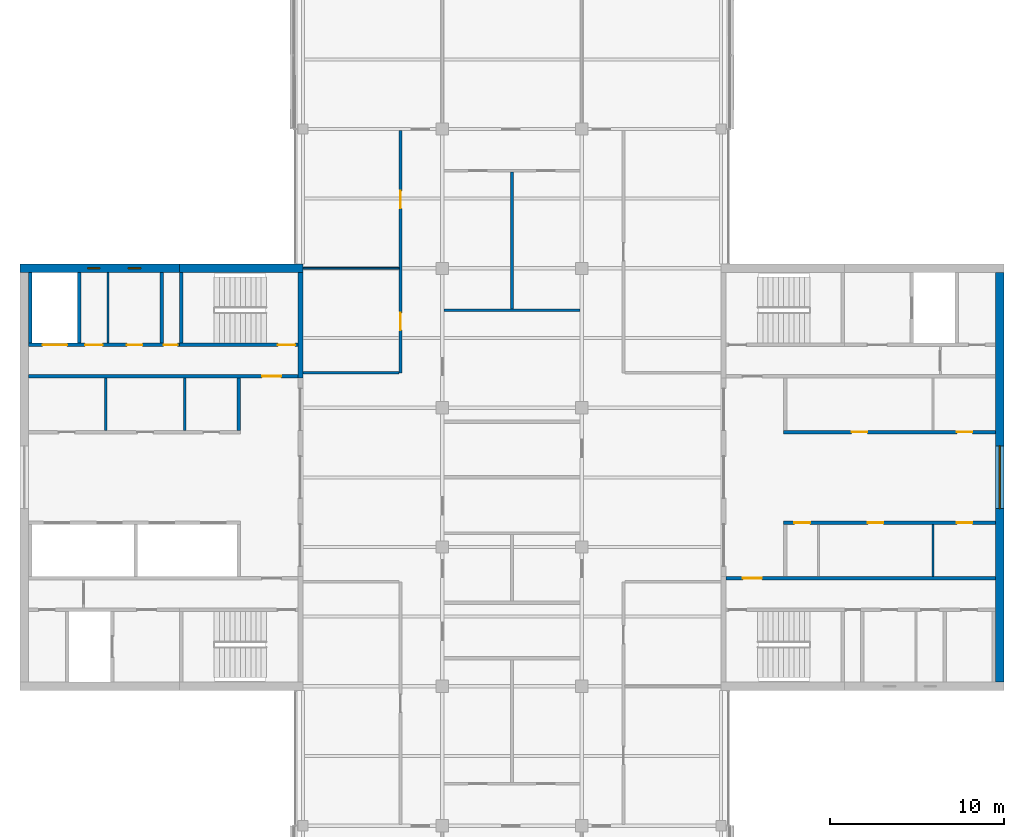
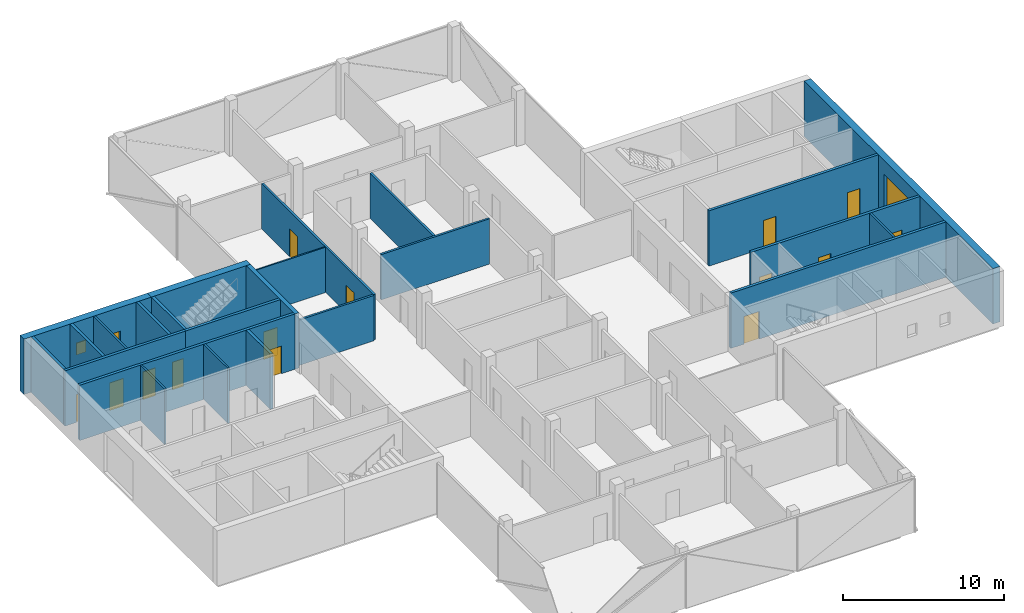
# One storey, part 11 of 16: 24 walls, 14 doors, 3 windows, 17 openings.
"""IFC4 building model written with IfcOpenShell, lengths in metres."""

from ifc_helpers import new_model, si_unit, direction, frame, frame_2d, origin, place, context, subcontext, project, spatial, rectangle, extrude, material, layer, layer_set, constituent, constituent_set, type_object, element, fill, save


model = new_model("IFC4")

# Units and contexts
model_context = context("Model", 3, precision=1e-05, world=origin(), true_north=direction((0.0, 1.0)))
body_context = subcontext(model_context, "Body", "Model", "MODEL_VIEW")
ifc_project = project(units=[si_unit("LENGTHUNIT", "METRE"), si_unit("AREAUNIT", "SQUARE_METRE"), si_unit("VOLUMEUNIT", "CUBIC_METRE"), si_unit("PLANEANGLEUNIT", "RADIAN"), si_unit("MASSUNIT", "GRAM", prefix="KILO")], contexts=[model_context])

# Site, building, storey
site_placement = place(None, origin())
site = spatial("IfcSite", under=ifc_project, at=site_placement, CompositionType="ELEMENT")
building_placement = place(site_placement, origin())
building = spatial("IfcBuilding", under=site, at=building_placement, Name="Crosswind Convention Tower", CompositionType="ELEMENT")
storey_placement = place(building_placement, frame((0.0, 0.0, 253.5)))
storey = spatial("IfcBuildingStorey", under=building, at=storey_placement, Name="L54", CompositionType="ELEMENT", Elevation=253.5)

# Walls
ifc_material_1 = material(Name="Concrete blockwork", Category="masonry")
ifc_layer_1 = layer(ifc_material_1, 0.199951171875)
ifc_layer_set_1 = layer_set([ifc_layer_1], Name="Blockwork partition wall 200")
wall_type_1 = type_object("IfcWallType", Name="Blockwork partition wall 200", PredefinedType="PARTITIONING", material=ifc_layer_set_1)
wall_1_placement = place(storey_placement, frame((104.89990234375, 111.75, 0.0), z_axis=(0.0, 0.0, 1.0), x_axis=(0.0, -1.0, 0.0)))
element("IfcWall", 1, at=wall_1_placement, inside=storey, type_object=wall_type_1, Name="Wall MRSE W L54", PredefinedType="PARTITIONING", context=body_context, shape_type="SweptSolid", body=[
    extrude(rectangle(XDim=4.050048828125, YDim=0.199951171875, at=frame_2d((2.02490234375, 0.0))), origin(), (0.0, 0.0, 1.0), 4.199951171875),
])
ifc_material_2 = material(Name="Concrete C50/60", Category="concrete")
ifc_layer_2 = layer(ifc_material_2, 0.300048828125)
ifc_layer_set_2 = layer_set([ifc_layer_2], Name="Concrete C50/60")
wall_type_2 = type_object("IfcWallType", Name="Concrete inner core wall 300", PredefinedType="SHEAR", material=ifc_layer_set_2)
wall_2_placement = place(storey_placement, frame((112.85009765625, 111.75, 0.0), z_axis=(0.0, 0.0, 1.0), x_axis=(0.0, -1.0, 0.0)))
element("IfcWall", 2, at=wall_2_placement, inside=storey, type_object=wall_type_2, Name="Wall EM W L54", PredefinedType="SHEAR", context=body_context, shape_type="SweptSolid", body=[
    extrude(rectangle(XDim=6.050048828125, YDim=0.300048828125, at=frame_2d((3.02490234375, 0.0))), origin(), (0.0, 0.0, 1.0), 4.199951171875),
])

# Wall, openings, doors
ifc_layer_3 = layer(ifc_material_2, 0.199951171875)
ifc_layer_set_3 = layer_set([ifc_layer_3], Name="Concrete C50/60")
wall_type_3 = type_object("IfcWallType", Name="Concrete shaft and stair wall 200", PredefinedType="SHEAR", material=ifc_layer_set_3)
wall_3_placement = place(storey_placement, frame((140.60009765625, 102.60009765625, 0.0), z_axis=(0.0, 0.0, 1.0), x_axis=(1.0, 0.0, 0.0)))
wall_3 = element("IfcWall", 3, at=wall_3_placement, inside=storey, type_object=wall_type_3, Name="Wall RPFRONT E L54", PredefinedType="SHEAR", context=body_context, shape_type="SweptSolid", body=[
    extrude(rectangle(XDim=12.14990234375, YDim=0.199951171875, at=frame_2d((6.074951171875, 0.0))), origin(), (0.0, 0.0, 1.0), 4.199951171875),
])
opening_1_placement = place(wall_3_placement, frame((3.9013671875, 0.0, 0.0)))
opening_1 = element("IfcOpeningElement", 4, at=opening_1_placement, cuts=wall_3, Name="Opening D106", PredefinedType="OPENING", context=body_context, shape_type="SweptSolid", body=[
    extrude(rectangle(XDim=0.89990234375, YDim=2.10009765625, at=frame_2d((0.449951171875, 1.050048828125))), frame((0.0, 0.10986328125, 0.0), z_axis=(0.0, -1.0, 0.0), x_axis=(1.0, 0.0, 0.0)), (0.0, 0.0, 1.0), 0.219970703125),
])
opening_2_placement = place(wall_3_placement, frame((9.938720703125, 0.0, 0.0)))
opening_2 = element("IfcOpeningElement", 5, at=opening_2_placement, cuts=wall_3, Name="Opening D106", PredefinedType="OPENING", context=body_context, shape_type="SweptSolid", body=[
    extrude(rectangle(XDim=0.89990234375, YDim=2.10009765625, at=frame_2d((0.449951171875, 1.050048828125))), frame((0.0, 0.10986328125, 0.0), z_axis=(0.0, -1.0, 0.0), x_axis=(1.0, 0.0, 0.0)), (0.0, 0.0, 1.0), 0.219970703125),
])
ifc_material_3 = material(Name="Timber door", Category="wood")
door_type_1 = type_object("IfcDoorType", Name="Single leaf door 900x2100", OperationType="NOTDEFINED", PredefinedType="DOOR", material=ifc_material_3)
door_1_placement = place(opening_1_placement, origin())
door_1 = element("IfcDoor", 6, at=door_1_placement, inside=storey, type_object=door_type_1, Name="Door to telecoms room L54", ObjectType="D106", OperationType="SINGLE_SWING_RIGHT", OverallHeight=2.10009765625, OverallWidth=0.89990234375, PredefinedType="DOOR", context=body_context, shape_type="SweptSolid", body=[
    extrude(rectangle(XDim=0.89990234375, YDim=2.10009765625, at=frame_2d((0.449951171875, 1.050048828125))), frame((0.0, 0.02490234375, 0.0), z_axis=(0.0, -1.0, 0.0), x_axis=(1.0, 0.0, 0.0)), (0.0, 0.0, 1.0), 0.050048828125),
])
fill(opening_1, door_1)
door_2_placement = place(opening_2_placement, origin())
door_2 = element("IfcDoor", 7, at=door_2_placement, inside=storey, type_object=door_type_1, Name="Door to storeroom L54", ObjectType="D106", OperationType="SINGLE_SWING_RIGHT", OverallHeight=2.10009765625, OverallWidth=0.89990234375, PredefinedType="DOOR", context=body_context, shape_type="SweptSolid", body=[
    extrude(rectangle(XDim=0.89990234375, YDim=2.10009765625, at=frame_2d((0.449951171875, 1.050048828125))), frame((0.0, 0.02490234375, 0.0), z_axis=(0.0, -1.0, 0.0), x_axis=(1.0, 0.0, 0.0)), (0.0, 0.0, 1.0), 0.050048828125),
])
fill(opening_2, door_2)

wall_4_placement = place(storey_placement, frame((140.60009765625, 97.39990234375, 0.0), z_axis=(0.0, 0.0, 1.0), x_axis=(1.0, 0.0, 0.0)))
wall_4 = element("IfcWall", 8, at=wall_4_placement, inside=storey, type_object=wall_type_3, Name="Wall RMFRONT E L54", PredefinedType="SHEAR", context=body_context, shape_type="SweptSolid", body=[
    extrude(rectangle(XDim=12.14990234375, YDim=0.199951171875, at=frame_2d((6.074951171875, 0.0))), origin(), (0.0, 0.0, 1.0), 4.199951171875),
])
opening_3_placement = place(wall_4_placement, frame((0.614990234375, 0.0, 0.0)))
opening_3 = element("IfcOpeningElement", 9, at=opening_3_placement, cuts=wall_4, Name="Opening D106", PredefinedType="OPENING", context=body_context, shape_type="SweptSolid", body=[
    extrude(rectangle(XDim=0.89990234375, YDim=2.10009765625, at=frame_2d((0.449951171875, 1.050048828125))), frame((0.0, 0.10986328125, 0.0), z_axis=(0.0, -1.0, 0.0), x_axis=(1.0, 0.0, 0.0)), (0.0, 0.0, 1.0), 0.219970703125),
])
opening_4_placement = place(wall_4_placement, frame((4.828857421875, 0.0, 0.0)))
opening_4 = element("IfcOpeningElement", 10, at=opening_4_placement, cuts=wall_4, Name="Opening D106", PredefinedType="OPENING", context=body_context, shape_type="SweptSolid", body=[
    extrude(rectangle(XDim=0.89990234375, YDim=2.10009765625, at=frame_2d((0.449951171875, 1.050048828125))), frame((0.0, 0.10986328125, 0.0), z_axis=(0.0, -1.0, 0.0), x_axis=(1.0, 0.0, 0.0)), (0.0, 0.0, 1.0), 0.219970703125),
])
opening_5_placement = place(wall_4_placement, frame((9.938720703125, 0.0, 0.0)))
opening_5 = element("IfcOpeningElement", 11, at=opening_5_placement, cuts=wall_4, Name="Opening D106", PredefinedType="OPENING", context=body_context, shape_type="SweptSolid", body=[
    extrude(rectangle(XDim=0.89990234375, YDim=2.10009765625, at=frame_2d((0.449951171875, 1.050048828125))), frame((0.0, 0.10986328125, 0.0), z_axis=(0.0, -1.0, 0.0), x_axis=(1.0, 0.0, 0.0)), (0.0, 0.0, 1.0), 0.219970703125),
])
door_3_placement = place(opening_3_placement, frame((0.89990234375, 0.0, 0.0), z_axis=(0.0, 0.0, 1.0), x_axis=(-1.0, 0.0, 0.0)))
door_3 = element("IfcDoor", 12, at=door_3_placement, inside=storey, type_object=door_type_1, Name="Door to storeroom L54", ObjectType="D106", OperationType="SINGLE_SWING_LEFT", OverallHeight=2.10009765625, OverallWidth=0.89990234375, PredefinedType="DOOR", context=body_context, shape_type="SweptSolid", body=[
    extrude(rectangle(XDim=0.89990234375, YDim=2.10009765625, at=frame_2d((0.449951171875, 1.050048828125))), frame((0.0, 0.02490234375, 0.0), z_axis=(0.0, -1.0, 0.0), x_axis=(1.0, 0.0, 0.0)), (0.0, 0.0, 1.0), 0.050048828125),
])
fill(opening_3, door_3)
door_4_placement = place(opening_4_placement, frame((0.89990234375, 0.0, 0.0), z_axis=(0.0, 0.0, 1.0), x_axis=(-1.0, 0.0, 0.0)))
door_4 = element("IfcDoor", 13, at=door_4_placement, inside=storey, type_object=door_type_1, Name="Door to tenant services room L54", ObjectType="D106", OperationType="SINGLE_SWING_LEFT", OverallHeight=2.10009765625, OverallWidth=0.89990234375, PredefinedType="DOOR", context=body_context, shape_type="SweptSolid", body=[
    extrude(rectangle(XDim=0.89990234375, YDim=2.10009765625, at=frame_2d((0.449951171875, 1.050048828125))), frame((0.0, 0.02490234375, 0.0), z_axis=(0.0, -1.0, 0.0), x_axis=(1.0, 0.0, 0.0)), (0.0, 0.0, 1.0), 0.050048828125),
])
fill(opening_4, door_4)
door_5_placement = place(opening_5_placement, frame((0.89990234375, 0.0, 0.0), z_axis=(0.0, 0.0, 1.0), x_axis=(-1.0, 0.0, 0.0)))
door_5 = element("IfcDoor", 14, at=door_5_placement, inside=storey, type_object=door_type_1, Name="Door to copy and print room L54", ObjectType="D106", OperationType="SINGLE_SWING_LEFT", OverallHeight=2.10009765625, OverallWidth=0.89990234375, PredefinedType="DOOR", context=body_context, shape_type="SweptSolid", body=[
    extrude(rectangle(XDim=0.89990234375, YDim=2.10009765625, at=frame_2d((0.449951171875, 1.050048828125))), frame((0.0, 0.02490234375, 0.0), z_axis=(0.0, -1.0, 0.0), x_axis=(1.0, 0.0, 0.0)), (0.0, 0.0, 1.0), 0.050048828125),
])
fill(opening_5, door_5)

# Wall, opening, door
wall_5_placement = place(storey_placement, frame((137.300048828125, 94.199951171875, 0.0), z_axis=(0.0, 0.0, 1.0), x_axis=(1.0, 0.0, 0.0)))
wall_5 = element("IfcWall", 15, at=wall_5_placement, inside=storey, type_object=wall_type_3, Name="Wall HM E L54", PredefinedType="SHEAR", context=body_context, shape_type="SweptSolid", body=[
    extrude(rectangle(XDim=15.449951171875, YDim=0.199951171875, at=frame_2d((7.72509765625, 0.0))), origin(), (0.0, 0.0, 1.0), 4.199951171875),
])
opening_6_placement = place(wall_5_placement, frame((0.949951171875, 0.0, 0.0)))
opening_6 = element("IfcOpeningElement", 16, at=opening_6_placement, cuts=wall_5, Name="Opening D104", PredefinedType="OPENING", context=body_context, shape_type="SweptSolid", body=[
    extrude(rectangle(XDim=1.10009765625, YDim=2.10009765625, at=frame_2d((0.550048828125, 1.050048828125))), frame((0.0, 0.10986328125, 0.0), z_axis=(0.0, -1.0, 0.0), x_axis=(1.0, 0.0, 0.0)), (0.0, 0.0, 1.0), 0.219970703125),
])
ifc_material_4 = material(Name="Steel fire door", Category="steel")
door_type_2 = type_object("IfcDoorType", Name="Fire-rated single door 1100x2100", OperationType="NOTDEFINED", PredefinedType="DOOR", material=ifc_material_4)
door_6_placement = place(opening_6_placement, origin())
door_6 = element("IfcDoor", 17, at=door_6_placement, inside=storey, type_object=door_type_2, Name="Corridor door L54", ObjectType="D104", OperationType="SINGLE_SWING_LEFT", OverallHeight=2.10009765625, OverallWidth=1.10009765625, PredefinedType="DOOR", context=body_context, shape_type="SweptSolid", body=[
    extrude(rectangle(XDim=1.10009765625, YDim=2.10009765625, at=frame_2d((0.550048828125, 1.050048828125))), frame((0.0, 0.02490234375, 0.0), z_axis=(0.0, -1.0, 0.0), x_axis=(1.0, 0.0, 0.0)), (0.0, 0.0, 1.0), 0.050048828125),
])
fill(opening_6, door_6)

# Wall
wall_6_placement = place(storey_placement, frame((109.300048828125, 105.699951171875, 0.0), z_axis=(0.0, 0.0, 1.0), x_axis=(0.0, -1.0, 0.0)))
element("IfcWall", 18, at=wall_6_placement, inside=storey, type_object=wall_type_3, Name="Wall RMEND W L54", PredefinedType="SHEAR", context=body_context, shape_type="SweptSolid", body=[
    extrude(rectangle(XDim=3.0, YDim=0.199951171875, at=frame_2d((1.5, 0.0))), origin(), (0.0, 0.0, 1.0), 4.199951171875),
])

# Wall, opening, door
wall_7_placement = place(storey_placement, frame((112.699951171875, 105.800048828125, 0.0), z_axis=(0.0, 0.0, 1.0), x_axis=(-1.0, 0.0, 0.0)))
wall_7 = element("IfcWall", 19, at=wall_7_placement, inside=storey, type_object=wall_type_3, Name="Wall HM W L54", PredefinedType="SHEAR", context=body_context, shape_type="SweptSolid", body=[
    extrude(rectangle(XDim=15.449951171875, YDim=0.199951171875, at=frame_2d((7.72509765625, 0.0))), origin(), (0.0, 0.0, 1.0), 4.199951171875),
])
opening_7_placement = place(wall_7_placement, frame((0.949951171875, 0.0, 0.0)))
opening_7 = element("IfcOpeningElement", 20, at=opening_7_placement, cuts=wall_7, Name="Opening D104", PredefinedType="OPENING", context=body_context, shape_type="SweptSolid", body=[
    extrude(rectangle(XDim=1.10009765625, YDim=2.10009765625, at=frame_2d((0.550048828125, 1.050048828125))), frame((0.0, 0.10986328125, 0.0), z_axis=(0.0, -1.0, 0.0), x_axis=(1.0, 0.0, 0.0)), (0.0, 0.0, 1.0), 0.219970703125),
])
door_7_placement = place(opening_7_placement, origin())
door_7 = element("IfcDoor", 21, at=door_7_placement, inside=storey, type_object=door_type_2, Name="Corridor door L54", ObjectType="D104", OperationType="SINGLE_SWING_LEFT", OverallHeight=2.10009765625, OverallWidth=1.10009765625, PredefinedType="DOOR", context=body_context, shape_type="SweptSolid", body=[
    extrude(rectangle(XDim=1.10009765625, YDim=2.10009765625, at=frame_2d((0.550048828125, 1.050048828125))), frame((0.0, 0.02490234375, 0.0), z_axis=(0.0, -1.0, 0.0), x_axis=(1.0, 0.0, 0.0)), (0.0, 0.0, 1.0), 0.050048828125),
])
fill(opening_7, door_7)

# Walls
for number, where, z_axis, x_axis, name in (
    (22, (106.0, 111.75, 0.0), (0.0, 0.0, 1.0), (0.0, -1.0, 0.0), "Wall MSE W L54"),
    (23, (100.14990234375, 111.75, 0.0), (0.0, 0.0, 1.0), (0.0, -1.0, 0.0), "Wall MFSW W L54"),
    (24, (97.35009765625, 111.75, 0.0), (0.0, 0.0, 1.0), (0.0, -1.0, 0.0), "Wall MFSE W L54"),
):
    element("IfcWall", number, at=place(storey_placement, frame(where, z_axis=z_axis, x_axis=x_axis)), inside=storey, type_object=wall_type_3, Name=name, PredefinedType="SHEAR", context=body_context, shape_type="SweptSolid", body=[
        extrude(rectangle(XDim=4.050048828125, YDim=0.199951171875, at=frame_2d((2.02490234375, 0.0))), origin(), (0.0, 0.0, 1.0), 4.199951171875),
    ])

# Wall, opening, door
wall_8_placement = place(storey_placement, frame((112.699951171875, 107.60009765625, 0.0), z_axis=(0.0, 0.0, 1.0), x_axis=(-1.0, 0.0, 0.0)))
wall_8 = element("IfcWall", 25, at=wall_8_placement, inside=storey, type_object=wall_type_3, Name="Wall MCW W L54", PredefinedType="SHEAR", context=body_context, shape_type="SweptSolid", body=[
    extrude(rectangle(XDim=6.800048828125, YDim=0.199951171875, at=frame_2d((3.39990234375, 0.0))), origin(), (0.0, 0.0, 1.0), 4.199951171875),
])
opening_8_placement = place(wall_8_placement, frame((0.14990234375, 0.0, 0.0)))
opening_8 = element("IfcOpeningElement", 26, at=opening_8_placement, cuts=wall_8, Name="Opening D103", PredefinedType="OPENING", context=body_context, shape_type="SweptSolid", body=[
    extrude(rectangle(XDim=1.0, YDim=2.10009765625, at=frame_2d((0.5, 1.050048828125))), frame((0.0, 0.10986328125, 0.0), z_axis=(0.0, -1.0, 0.0), x_axis=(1.0, 0.0, 0.0)), (0.0, 0.0, 1.0), 0.219970703125),
])
door_type_3 = type_object("IfcDoorType", Name="Fire-rated single door 1000x2100", OperationType="NOTDEFINED", PredefinedType="DOOR", material=ifc_material_4)
door_8_placement = place(opening_8_placement, frame((1.0, 0.0, 0.0), z_axis=(0.0, 0.0, 1.0), x_axis=(-1.0, 0.0, 0.0)))
door_8 = element("IfcDoor", 27, at=door_8_placement, inside=storey, type_object=door_type_3, Name="Stair ST4 door L54", ObjectType="D103", OperationType="SINGLE_SWING_RIGHT", OverallHeight=2.10009765625, OverallWidth=1.0, PredefinedType="DOOR", context=body_context, shape_type="SweptSolid", body=[
    extrude(rectangle(XDim=1.0, YDim=2.10009765625, at=frame_2d((0.5, 1.050048828125))), frame((0.0, 0.02490234375, 0.0), z_axis=(0.0, -1.0, 0.0), x_axis=(1.0, 0.0, 0.0)), (0.0, 0.0, 1.0), 0.050048828125),
])
fill(opening_8, door_8)

# Wall, openings, doors
wall_9_placement = place(storey_placement, frame((105.89990234375, 107.60009765625, 0.0), z_axis=(0.0, 0.0, 1.0), x_axis=(-1.0, 0.0, 0.0)))
wall_9 = element("IfcWall", 28, at=wall_9_placement, inside=storey, type_object=wall_type_3, Name="Wall MCX W L54", PredefinedType="SHEAR", context=body_context, shape_type="SweptSolid", body=[
    extrude(rectangle(XDim=8.64990234375, YDim=0.199951171875, at=frame_2d((4.324951171875, 0.0))), origin(), (0.0, 0.0, 1.0), 4.199951171875),
])
opening_9_placement = place(wall_9_placement, frame((0.10009765625, 0.0, 0.0)))
opening_9 = element("IfcOpeningElement", 29, at=opening_9_placement, cuts=wall_9, Name="Opening D105", PredefinedType="OPENING", context=body_context, shape_type="SweptSolid", body=[
    extrude(rectangle(XDim=0.800048828125, YDim=2.10009765625, at=frame_2d((0.39990234375, 1.050048828125))), frame((0.0, 0.10986328125, 0.0), z_axis=(0.0, -1.0, 0.0), x_axis=(1.0, 0.0, 0.0)), (0.0, 0.0, 1.0), 0.219970703125),
])
opening_10_placement = place(wall_9_placement, frame((2.120361328125, 0.0, 0.0)))
opening_10 = element("IfcOpeningElement", 30, at=opening_10_placement, cuts=wall_9, Name="Opening D106", PredefinedType="OPENING", context=body_context, shape_type="SweptSolid", body=[
    extrude(rectangle(XDim=0.89990234375, YDim=2.10009765625, at=frame_2d((0.449951171875, 1.050048828125))), frame((0.0, 0.10986328125, 0.0), z_axis=(0.0, -1.0, 0.0), x_axis=(1.0, 0.0, 0.0)), (0.0, 0.0, 1.0), 0.219970703125),
])
opening_11_placement = place(wall_9_placement, frame((4.40771484375, 0.0, 0.0)))
opening_11 = element("IfcOpeningElement", 31, at=opening_11_placement, cuts=wall_9, Name="Opening D103", PredefinedType="OPENING", context=body_context, shape_type="SweptSolid", body=[
    extrude(rectangle(XDim=1.0, YDim=2.10009765625, at=frame_2d((0.5, 1.050048828125))), frame((0.0, 0.10986328125, 0.0), z_axis=(0.0, -1.0, 0.0), x_axis=(1.0, 0.0, 0.0)), (0.0, 0.0, 1.0), 0.219970703125),
])
opening_12_placement = place(wall_9_placement, frame((6.449951171875, 0.0, 0.0)))
opening_12 = element("IfcOpeningElement", 32, at=opening_12_placement, cuts=wall_9, Name="Opening LD2", PredefinedType="OPENING", context=body_context, shape_type="SweptSolid", body=[
    extrude(rectangle(XDim=1.39990234375, YDim=2.10009765625, at=frame_2d((0.699951171875, 1.050048828125))), frame((0.0, 0.10986328125, 0.0), z_axis=(0.0, -1.0, 0.0), x_axis=(1.0, 0.0, 0.0)), (0.0, 0.0, 1.0), 0.219970703125),
])
door_9_placement = place(opening_11_placement, frame((1.0, 0.0, 0.0), z_axis=(0.0, 0.0, 1.0), x_axis=(-1.0, 0.0, 0.0)))
door_9 = element("IfcDoor", 33, at=door_9_placement, inside=storey, type_object=door_type_3, Name="Door to accessible wc L54", ObjectType="D103", OperationType="SINGLE_SWING_LEFT", OverallHeight=2.10009765625, OverallWidth=1.0, PredefinedType="DOOR", context=body_context, shape_type="SweptSolid", body=[
    extrude(rectangle(XDim=1.0, YDim=2.10009765625, at=frame_2d((0.5, 1.050048828125))), frame((0.0, 0.02490234375, 0.0), z_axis=(0.0, -1.0, 0.0), x_axis=(1.0, 0.0, 0.0)), (0.0, 0.0, 1.0), 0.050048828125),
])
fill(opening_11, door_9)
ifc_material_5 = material(Name="Stainless steel", Category="steel")
door_type_4 = type_object("IfcDoorType", Name="Lift landing door 1400x2100", OperationType="DOUBLE_DOOR_SLIDING", PredefinedType="DOOR", material=ifc_material_5)
door_10_placement = place(opening_12_placement, origin())
door_10 = element("IfcDoor", 34, at=door_10_placement, inside=storey, type_object=door_type_4, Name="Landing door SV2 L54", ObjectType="LD2", OperationType="DOUBLE_DOOR_SLIDING", OverallHeight=2.10009765625, OverallWidth=1.39990234375, PredefinedType="DOOR", context=body_context, shape_type="SweptSolid", body=[
    extrude(rectangle(XDim=1.39990234375, YDim=2.10009765625, at=frame_2d((0.699951171875, 1.050048828125))), frame((0.0, 0.02490234375, 0.0), z_axis=(0.0, -1.0, 0.0), x_axis=(1.0, 0.0, 0.0)), (0.0, 0.0, 1.0), 0.050048828125),
])
fill(opening_12, door_10)
door_type_5 = type_object("IfcDoorType", Name="Riser access door 800x2100", OperationType="NOTDEFINED", PredefinedType="DOOR", material=ifc_material_4)
door_11_placement = place(opening_9_placement, frame((0.800048828125, 0.0, 0.0), z_axis=(0.0, 0.0, 1.0), x_axis=(-1.0, 0.0, 0.0)))
door_11 = element("IfcDoor", 35, at=door_11_placement, inside=storey, type_object=door_type_5, Name="Riser door L54", ObjectType="D105", OperationType="SINGLE_SWING_LEFT", OverallHeight=2.10009765625, OverallWidth=0.800048828125, PredefinedType="DOOR", context=body_context, shape_type="SweptSolid", body=[
    extrude(rectangle(XDim=0.800048828125, YDim=2.10009765625, at=frame_2d((0.39990234375, 1.050048828125))), frame((0.0, 0.02490234375, 0.0), z_axis=(0.0, -1.0, 0.0), x_axis=(1.0, 0.0, 0.0)), (0.0, 0.0, 1.0), 0.050048828125),
])
fill(opening_9, door_11)
door_12_placement = place(opening_10_placement, frame((0.89990234375, 0.0, 0.0), z_axis=(0.0, 0.0, 1.0), x_axis=(-1.0, 0.0, 0.0)))
door_12 = element("IfcDoor", 36, at=door_12_placement, inside=storey, type_object=door_type_1, Name="Door to wc L54", ObjectType="D106", OperationType="SINGLE_SWING_LEFT", OverallHeight=2.10009765625, OverallWidth=0.89990234375, PredefinedType="DOOR", context=body_context, shape_type="SweptSolid", body=[
    extrude(rectangle(XDim=0.89990234375, YDim=2.10009765625, at=frame_2d((0.449951171875, 1.050048828125))), frame((0.0, 0.02490234375, 0.0), z_axis=(0.0, -1.0, 0.0), x_axis=(1.0, 0.0, 0.0)), (0.0, 0.0, 1.0), 0.050048828125),
])
fill(opening_10, door_12)

# Walls
ifc_material_6 = material(Name="Gypsum plasterboard partition", Category="gypsum")
ifc_layer_4 = layer(ifc_material_6, 0.125)
ifc_layer_set_4 = layer_set([ifc_layer_4], Name="Drywall partition wall 125")
wall_type_4 = type_object("IfcWallType", Name="Drywall partition wall 125", PredefinedType="PARTITIONING", material=ifc_layer_set_4)
for number, where, z_axis, x_axis, name in (
    (37, (149.1650390625, 94.300048828125, 0.0), (0.0, 0.0, 1.0), (0.0, 1.0, 0.0), "Wall RMP2 E L54"),
    (38, (106.21240234375, 105.699951171875, 0.0), (0.0, 0.0, 1.0), (0.0, -1.0, 0.0), "Wall RMP1 W L54"),
    (39, (101.67138671875, 105.699951171875, 0.0), (0.0, 0.0, 1.0), (0.0, -1.0, 0.0), "Wall RMP2 W L54"),
):
    element("IfcWall", number, at=place(storey_placement, frame(where, z_axis=z_axis, x_axis=x_axis)), inside=storey, type_object=wall_type_4, Name=name, PredefinedType="PARTITIONING", context=body_context, shape_type="SweptSolid", body=[
        extrude(rectangle(XDim=3.0, YDim=0.125, at=frame_2d((1.5, 0.0))), origin(), (0.0, 0.0, 1.0), 4.199951171875),
    ])
wall_10_placement = place(storey_placement, frame((101.797119140625, 111.75, 0.0), z_axis=(0.0, 0.0, 1.0), x_axis=(0.0, -1.0, 0.0)))
element("IfcWall", 40, at=wall_10_placement, inside=storey, type_object=wall_type_4, Name="Wall MWP1 W L54", PredefinedType="PARTITIONING", context=body_context, shape_type="SweptSolid", body=[
    extrude(rectangle(XDim=4.050048828125, YDim=0.125, at=frame_2d((2.02490234375, 0.0))), origin(), (0.0, 0.0, 1.0), 4.199951171875),
])
ifc_material_7 = material(Name="Plasterboard partition", Category="gypsum")
ifc_layer_5 = layer(ifc_material_7, 0.10009765625)
ifc_layer_set_5 = layer_set([ifc_layer_5], Name="PARTITION 100 METAL STUD")
wall_type_5 = type_object("IfcWallType", Name="PARTITION 100 METAL STUD", PredefinedType="PARTITIONING", material=ifc_layer_set_5)
wall_11_placement = place(storey_placement, frame((113.0, 112.0, 0.0), z_axis=(0.0, 0.0, 1.0), x_axis=(1.0, 0.0, 0.0)))
element("IfcWall", 41, at=wall_11_placement, inside=storey, type_object=wall_type_5, Name="Partition wall WT40", PredefinedType="PARTITIONING", context=body_context, shape_type="SweptSolid", body=[
    extrude(rectangle(XDim=5.52490234375, YDim=0.10009765625, at=frame_2d((2.762451171875, 0.0))), origin(), (0.0, 0.0, 1.0), 3.44287109375),
])

# Wall, openings, doors
ifc_material_8 = material(Name="Fire-board partition with mineral wool", Category="gypsum")
ifc_layer_6 = layer(ifc_material_8, 0.14990234375)
ifc_layer_set_6 = layer_set([ifc_layer_6], Name="TENANCY WALL 150 TWO-HOUR BOARD")
wall_type_6 = type_object("IfcWallType", Name="TENANCY WALL 150 TWO-HOUR BOARD", PredefinedType="PARTITIONING", material=ifc_layer_set_6)
wall_12_placement = place(storey_placement, frame((118.60009765625, 106.0, 0.0), z_axis=(0.0, 0.0, 1.0), x_axis=(0.0, 1.0, 0.0)))
wall_12 = element("IfcWall", 42, at=wall_12_placement, inside=storey, type_object=wall_type_6, Name="Tenancy wall WT41", PredefinedType="PARTITIONING", context=body_context, shape_type="SweptSolid", body=[
    extrude(rectangle(XDim=13.925048828125, YDim=0.14990234375, at=frame_2d((6.96240234375, 0.0))), origin(), (0.0, 0.0, 1.0), 3.44287109375),
])
opening_13_placement = place(wall_12_placement, frame((2.449951171875, 0.0, 0.0)))
opening_13 = element("IfcOpeningElement", 43, at=opening_13_placement, cuts=wall_12, Name="Opening L54-53", PredefinedType="OPENING", context=body_context, shape_type="SweptSolid", body=[
    extrude(rectangle(XDim=1.0, YDim=2.10009765625, at=frame_2d((0.5, 1.050048828125))), frame((0.0, 0.0849609375, 0.0), z_axis=(0.0, -1.0, 0.0), x_axis=(1.0, 0.0, 0.0)), (0.0, 0.0, 1.0), 0.169921875),
])
opening_14_placement = place(wall_12_placement, frame((9.449951171875, 0.0, 0.0)))
opening_14 = element("IfcOpeningElement", 44, at=opening_14_placement, cuts=wall_12, Name="Opening L54-54", PredefinedType="OPENING", context=body_context, shape_type="SweptSolid", body=[
    extrude(rectangle(XDim=1.0, YDim=2.10009765625, at=frame_2d((0.5, 1.050048828125))), frame((0.0, 0.0849609375, 0.0), z_axis=(0.0, -1.0, 0.0), x_axis=(1.0, 0.0, 0.0)), (0.0, 0.0, 1.0), 0.169921875),
])
ifc_material_9 = material(Name="Timber fire door", Category="wood")
door_type_6 = type_object("IfcDoorType", Name="TENANCY ENTRANCE DOOR 1000X2100 FD30S", OperationType="NOTDEFINED", PredefinedType="DOOR", material=ifc_material_9)
door_13_placement = place(opening_13_placement, origin())
door_13 = element("IfcDoor", 45, at=door_13_placement, inside=storey, type_object=door_type_6, Name="Door L54-53", ObjectType="D41", OperationType="SINGLE_SWING_LEFT", OverallHeight=2.10009765625, OverallWidth=1.0, PredefinedType="DOOR", context=body_context, shape_type="SweptSolid", body=[
    extrude(rectangle(XDim=1.0, YDim=2.10009765625, at=frame_2d((0.5, 1.050048828125))), frame((0.0, 0.02490234375, 0.0), z_axis=(0.0, -1.0, 0.0), x_axis=(1.0, 0.0, 0.0)), (0.0, 0.0, 1.0), 0.050048828125),
])
fill(opening_13, door_13)
door_14_placement = place(opening_14_placement, origin())
door_14 = element("IfcDoor", 46, at=door_14_placement, inside=storey, type_object=door_type_6, Name="Door L54-54", ObjectType="D41", OperationType="SINGLE_SWING_LEFT", OverallHeight=2.10009765625, OverallWidth=1.0, PredefinedType="DOOR", context=body_context, shape_type="SweptSolid", body=[
    extrude(rectangle(XDim=1.0, YDim=2.10009765625, at=frame_2d((0.5, 1.050048828125))), frame((0.0, 0.02490234375, 0.0), z_axis=(0.0, -1.0, 0.0), x_axis=(1.0, 0.0, 0.0)), (0.0, 0.0, 1.0), 0.050048828125),
])
fill(opening_14, door_14)

# Walls
wall_13_placement = place(storey_placement, frame((125.0, 109.675048828125, 0.0), z_axis=(0.0, 0.0, 1.0), x_axis=(0.0, 1.0, 0.0)))
element("IfcWall", 47, at=wall_13_placement, inside=storey, type_object=wall_type_6, Name="Tenancy wall WT41", PredefinedType="PARTITIONING", context=body_context, shape_type="SweptSolid", body=[
    extrude(rectangle(XDim=7.849853515625, YDim=0.14990234375, at=frame_2d((3.9248046875, 0.0))), origin(), (0.0, 0.0, 1.0), 3.44287109375),
])
wall_14_placement = place(storey_placement, frame((113.0, 106.0, 0.0), z_axis=(0.0, 0.0, 1.0), x_axis=(1.0, 0.0, 0.0)))
element("IfcWall", 48, at=wall_14_placement, inside=storey, type_object=wall_type_6, Name="Tenancy wall WT41", PredefinedType="PARTITIONING", context=body_context, shape_type="SweptSolid", body=[
    extrude(rectangle(XDim=5.52490234375, YDim=0.14990234375, at=frame_2d((2.762451171875, 0.0))), origin(), (0.0, 0.0, 1.0), 3.44287109375),
])
wall_15_placement = place(storey_placement, frame((121.10009765625, 109.60009765625, 0.0), z_axis=(0.0, 0.0, 1.0), x_axis=(1.0, 0.0, 0.0)))
element("IfcWall", 49, at=wall_15_placement, inside=storey, type_object=wall_type_6, Name="Tenancy wall WT41", PredefinedType="PARTITIONING", context=body_context, shape_type="SweptSolid", body=[
    extrude(rectangle(XDim=7.7998046875, YDim=0.14990234375, at=frame_2d((3.89990234375, 0.0))), origin(), (0.0, 0.0, 1.0), 3.44287109375),
])

# Wall, opening, window
ifc_material_10 = material(Name="Concrete C60/75", Category="concrete")
ifc_constituent_1 = constituent(ifc_material_10, Name="Structure")
ifc_material_11 = material(Name="Terracotta rainscreen", Category="ceramic")
ifc_constituent_2 = constituent(ifc_material_11, Name="Facing")
ifc_constituent_set = constituent_set(constituents=[ifc_constituent_1, ifc_constituent_2], Name="Concrete C60/75, Terracotta rainscreen")
wall_type_7 = type_object("IfcWallType", Name="Terracotta rainscreen on concrete core wall 500", PredefinedType="SHEAR", material=ifc_constituent_set)
wall_16_placement = place(storey_placement, frame((153.0, 88.25, 0.0), z_axis=(0.0, 0.0, 1.0), x_axis=(0.0, 1.0, 0.0)))
wall_16 = element("IfcWall", 50, at=wall_16_placement, inside=storey, type_object=wall_type_7, Name="Wall O E L54", PredefinedType="SHEAR", context=body_context, shape_type="SweptSolid", body=[
    extrude(rectangle(XDim=23.5, YDim=0.5, at=frame_2d((11.75, 0.0))), origin(), (0.0, 0.0, 1.0), 4.199951171875),
])
opening_15_placement = place(wall_16_placement, frame((9.949951171875, 0.0, 0.14990234375)))
opening_15 = element("IfcOpeningElement", 51, at=opening_15_placement, cuts=wall_16, Name="Opening W1", PredefinedType="OPENING", context=body_context, shape_type="SweptSolid", body=[
    extrude(rectangle(XDim=3.60009765625, YDim=3.0, at=frame_2d((1.800048828125, 1.5))), frame((0.0, 0.260009765625, 0.0), z_axis=(0.0, -1.0, 0.0), x_axis=(1.0, 0.0, 0.0)), (0.0, 0.0, 1.0), 0.52001953125),
])
ifc_material_12 = material(Name="Clear laminated glass in aluminium frame", Category="aluminium")
window_type_1 = type_object("IfcWindowType", Name="Lobby end window 3600x3000", PartitioningType="SINGLE_PANEL", PredefinedType="WINDOW", material=ifc_material_12)
window_1_placement = place(opening_15_placement, origin())
window_1 = element("IfcWindow", 52, at=window_1_placement, inside=storey, type_object=window_type_1, Name="Lobby end window L54", ObjectType="W1", OverallHeight=3.0, OverallWidth=3.60009765625, PartitioningType="SINGLE_PANEL", PredefinedType="WINDOW", context=body_context, shape_type="SweptSolid", body=[
    extrude(rectangle(XDim=3.60009765625, YDim=3.0, at=frame_2d((1.800048828125, 1.5))), frame((0.0, 0.030029296875, 0.0), z_axis=(0.0, -1.0, 0.0), x_axis=(1.0, 0.0, 0.0)), (0.0, 0.0, 1.0), 0.06005859375),
])
fill(opening_15, window_1)

# Wall
wall_17_placement = place(storey_placement, frame((113.0, 112.0, 0.0), z_axis=(0.0, 0.0, 1.0), x_axis=(-1.0, 0.0, 0.0)))
element("IfcWall", 53, at=wall_17_placement, inside=storey, type_object=wall_type_7, Name="Wall S1 W L54", PredefinedType="SHEAR", context=body_context, shape_type="SweptSolid", body=[
    extrude(rectangle(XDim=7.10009765625, YDim=0.5, at=frame_2d((3.550048828125, 0.0))), origin(), (0.0, 0.0, 1.0), 4.199951171875),
])

# Wall, openings, windows
wall_18_placement = place(storey_placement, frame((105.89990234375, 112.0, 0.0), z_axis=(0.0, 0.0, 1.0), x_axis=(-1.0, 0.0, 0.0)))
wall_18 = element("IfcWall", 54, at=wall_18_placement, inside=storey, type_object=wall_type_7, Name="Wall S2 W L54", PredefinedType="SHEAR", context=body_context, shape_type="SweptSolid", body=[
    extrude(rectangle(XDim=9.14990234375, YDim=0.5, at=frame_2d((4.574951171875, 0.0))), origin(), (0.0, 0.0, 1.0), 4.199951171875),
])
opening_16_placement = place(wall_18_placement, frame((2.22021484375, 0.0, 1.5)))
opening_16 = element("IfcOpeningElement", 55, at=opening_16_placement, cuts=wall_18, Name="Opening W2", PredefinedType="OPENING", context=body_context, shape_type="SweptSolid", body=[
    extrude(rectangle(XDim=0.699951171875, YDim=0.89990234375, at=frame_2d((0.35009765625, 0.449951171875))), frame((0.0, 0.260009765625, 0.0), z_axis=(0.0, -1.0, 0.0), x_axis=(1.0, 0.0, 0.0)), (0.0, 0.0, 1.0), 0.52001953125),
])
opening_17_placement = place(wall_18_placement, frame((4.557861328125, 0.0, 1.5)))
opening_17 = element("IfcOpeningElement", 56, at=opening_17_placement, cuts=wall_18, Name="Opening W2", PredefinedType="OPENING", context=body_context, shape_type="SweptSolid", body=[
    extrude(rectangle(XDim=0.699951171875, YDim=0.89990234375, at=frame_2d((0.35009765625, 0.449951171875))), frame((0.0, 0.260009765625, 0.0), z_axis=(0.0, -1.0, 0.0), x_axis=(1.0, 0.0, 0.0)), (0.0, 0.0, 1.0), 0.52001953125),
])
ifc_material_13 = material(Name="Obscure glass in aluminium frame", Category="aluminium")
window_type_2 = type_object("IfcWindowType", Name="WC window 700x900", PartitioningType="SINGLE_PANEL", PredefinedType="WINDOW", material=ifc_material_13)
window_2_placement = place(opening_16_placement, origin())
window_2 = element("IfcWindow", 57, at=window_2_placement, inside=storey, type_object=window_type_2, Name="WC window L54", ObjectType="W2", OverallHeight=0.89990234375, OverallWidth=0.699951171875, PartitioningType="SINGLE_PANEL", PredefinedType="WINDOW", context=body_context, shape_type="SweptSolid", body=[
    extrude(rectangle(XDim=0.699951171875, YDim=0.89990234375, at=frame_2d((0.35009765625, 0.449951171875))), frame((0.0, 0.030029296875, 0.0), z_axis=(0.0, -1.0, 0.0), x_axis=(1.0, 0.0, 0.0)), (0.0, 0.0, 1.0), 0.06005859375),
])
fill(opening_16, window_2)
window_3_placement = place(opening_17_placement, origin())
window_3 = element("IfcWindow", 58, at=window_3_placement, inside=storey, type_object=window_type_2, Name="WC window L54", ObjectType="W2", OverallHeight=0.89990234375, OverallWidth=0.699951171875, PartitioningType="SINGLE_PANEL", PredefinedType="WINDOW", context=body_context, shape_type="SweptSolid", body=[
    extrude(rectangle(XDim=0.699951171875, YDim=0.89990234375, at=frame_2d((0.35009765625, 0.449951171875))), frame((0.0, 0.030029296875, 0.0), z_axis=(0.0, -1.0, 0.0), x_axis=(1.0, 0.0, 0.0)), (0.0, 0.0, 1.0), 0.06005859375),
])
fill(opening_17, window_3)

save(model, "model.ifc")
